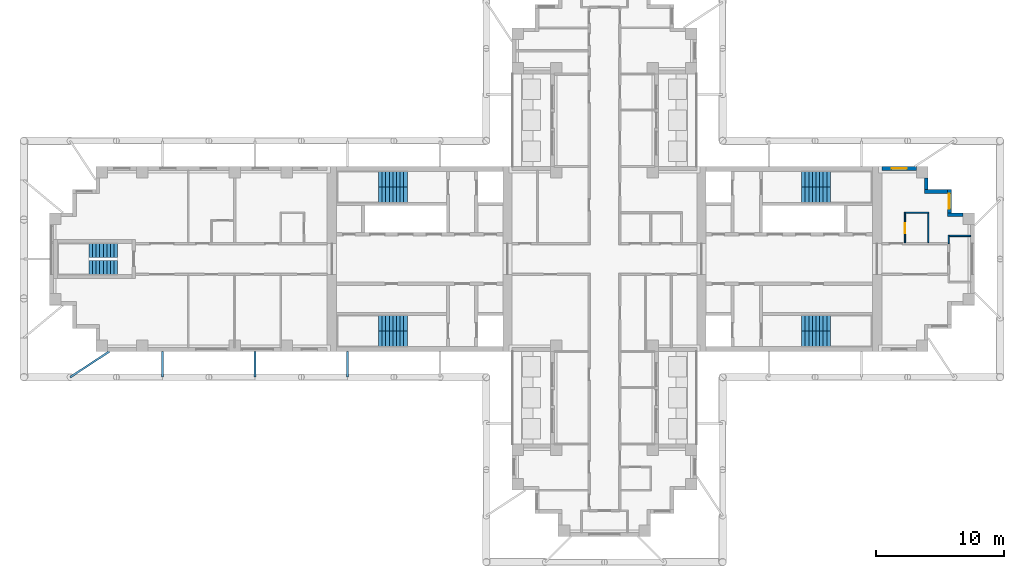
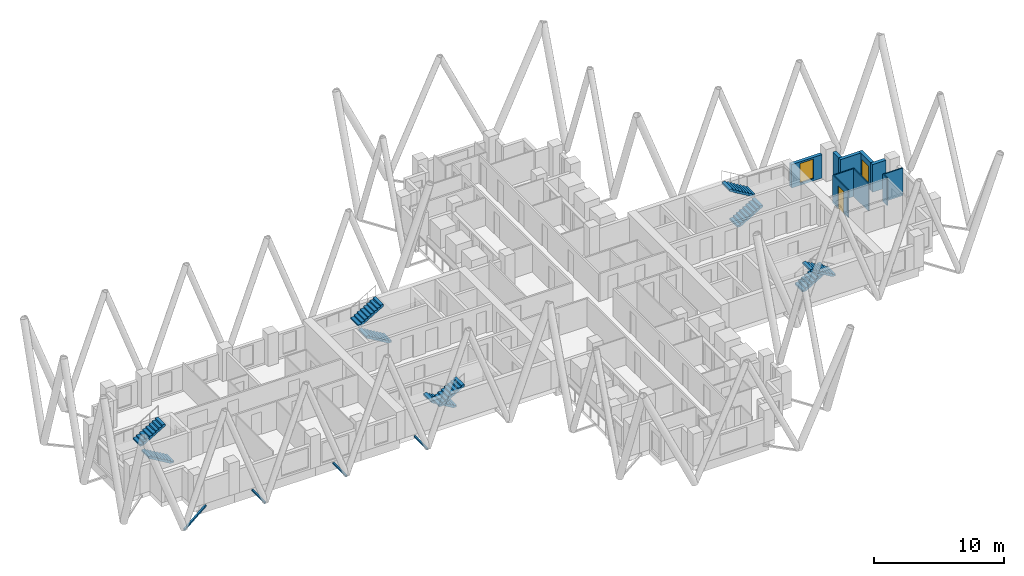
# One storey, part 9 of 12: 10 stair flights, 10 walls, 4 discrete accessories, 2 windows, 1 door, 3 openings, 5 elements without a shape of their own.
"""IFC4 building model written with IfcOpenShell, lengths in metres."""

from ifc_helpers import new_model, si_unit, direction, frame, frame_2d, origin, origin_2d, place, context, subcontext, project, spatial, polyline, rectangle, hollow_rectangle, outline, extrude, material, layer, layer_set, type_object, element, fill, aggregate, save


model = new_model("IFC4")

# Units and contexts
model_context = context("Model", 3, precision=1e-05, world=origin(), true_north=direction((0.0, 1.0)))
body_context = subcontext(model_context, "Body", "Model", "MODEL_VIEW")
ifc_project = project(units=[si_unit("LENGTHUNIT", "METRE"), si_unit("AREAUNIT", "SQUARE_METRE"), si_unit("VOLUMEUNIT", "CUBIC_METRE"), si_unit("PLANEANGLEUNIT", "RADIAN"), si_unit("MASSUNIT", "GRAM", prefix="KILO")], contexts=[model_context])

# Site, building, storey
site_placement = place(None, origin())
site = spatial("IfcSite", under=ifc_project, at=site_placement, CompositionType="ELEMENT")
building_placement = place(site_placement, origin())
building = spatial("IfcBuilding", under=site, at=building_placement, Name="Fustian Cross Tower", CompositionType="ELEMENT")
storey_placement = place(building_placement, frame((0.0, 0.0, 188.699951171875)))
storey = spatial("IfcBuildingStorey", under=building, at=storey_placement, Name="L59", CompositionType="ELEMENT", Elevation=188.699951171875)

# Wall, opening, door
ifc_material_1 = material(Name="Plasterboard on steel stud", Category="steel")
ifc_layer_1 = layer(ifc_material_1, 0.10009765625)
ifc_layer_set_1 = layer_set([ifc_layer_1], Name="Plasterboard on steel stud")
wall_type_1 = type_object("IfcWallType", Name="PARTITION 100 STUD", PredefinedType="PARTITIONING", material=ifc_layer_set_1)
wall_1_placement = place(storey_placement, frame((23.39990234375, 1.27490234375, 0.0), z_axis=(0.0, 0.0, 1.0), x_axis=(0.0, 1.0, 0.0)))
wall_1 = element("IfcWall", 1, at=wall_1_placement, inside=storey, type_object=wall_type_1, Name="Partition 56", PredefinedType="PARTITIONING", context=body_context, shape_type="SweptSolid", body=[
    extrude(rectangle(XDim=2.375, YDim=0.10009765625, at=frame_2d((1.1875, 0.0))), origin(), (0.0, 0.0, 1.0), 2.60009765625),
])
opening_1_placement = place(wall_1_placement, frame((0.72509765625, 0.0, 0.0)))
opening_1 = element("IfcOpeningElement", 2, at=opening_1_placement, cuts=wall_1, Name="Opening D27011", PredefinedType="OPENING", context=body_context, shape_type="SweptSolid", body=[
    extrude(rectangle(XDim=0.800048828125, YDim=2.10009765625, at=frame_2d((0.39990234375, 1.050048828125))), frame((0.0, 0.06005859375, 0.0), z_axis=(0.0, -1.0, 0.0), x_axis=(1.0, 0.0, 0.0)), (0.0, 0.0, 1.0), 0.1201171875),
])
ifc_material_2 = material(Name="Painted timber", Category="wood")
door_type = type_object("IfcDoorType", Name="SWING DOOR 800", OperationType="SINGLE_SWING_LEFT", PredefinedType="DOOR", material=ifc_material_2)
door_placement = place(opening_1_placement, frame((0.800048828125, 0.0, 0.0), z_axis=(0.0, 0.0, 1.0), x_axis=(-1.0, 0.0, 0.0)))
door = element("IfcDoor", 3, at=door_placement, inside=storey, type_object=door_type, Name="Door D27011", OperationType="SINGLE_SWING_RIGHT", OverallHeight=2.10009765625, OverallWidth=0.800048828125, PredefinedType="DOOR", context=body_context, shape_type="SweptSolid", body=[
    extrude(rectangle(XDim=0.800048828125, YDim=2.10009765625, at=frame_2d((0.39990234375, 1.050048828125))), frame((0.0, 0.02490234375, 0.0), z_axis=(0.0, -1.0, 0.0), x_axis=(1.0, 0.0, 0.0)), (0.0, 0.0, 1.0), 0.050048828125),
])
fill(opening_1, door)

# Walls
wall_2_placement = place(storey_placement, frame((23.449951171875, 3.60009765625, 0.0), z_axis=(0.0, 0.0, 1.0), x_axis=(1.0, 0.0, 0.0)))
element("IfcWall", 4, at=wall_2_placement, inside=storey, type_object=wall_type_1, Name="Partition 57", PredefinedType="PARTITIONING", context=body_context, shape_type="SweptSolid", body=[
    extrude(rectangle(XDim=1.800048828125, YDim=0.10009765625, at=frame_2d((0.89990234375, 0.0))), origin(), (0.0, 0.0, 1.0), 2.60009765625),
])
wall_3_placement = place(storey_placement, frame((25.199951171875, 1.27490234375, 0.0), z_axis=(0.0, 0.0, 1.0), x_axis=(0.0, 1.0, 0.0)))
element("IfcWall", 5, at=wall_3_placement, inside=storey, type_object=wall_type_1, Name="Partition 58", PredefinedType="PARTITIONING", context=body_context, shape_type="SweptSolid", body=[
    extrude(rectangle(XDim=2.275146484375, YDim=0.10009765625, at=frame_2d((1.1376953125, 0.0))), origin(), (0.0, 0.0, 1.0), 2.60009765625),
])
wall_4_placement = place(storey_placement, frame((26.800048828125, 1.199951171875, 0.0), z_axis=(0.0, 0.0, 1.0), x_axis=(0.0, 1.0, 0.0)))
element("IfcWall", 6, at=wall_4_placement, inside=storey, type_object=wall_type_1, Name="Partition 62", PredefinedType="PARTITIONING", context=body_context, shape_type="SweptSolid", body=[
    extrude(rectangle(XDim=0.650146484375, YDim=0.10009765625, at=frame_2d((0.3251953125, 0.0))), origin(), (0.0, 0.0, 1.0), 2.60009765625),
])
wall_5_placement = place(storey_placement, frame((26.85009765625, 1.800048828125, 0.0), z_axis=(0.0, 0.0, 1.0), x_axis=(1.0, 0.0, 0.0)))
element("IfcWall", 7, at=wall_5_placement, inside=storey, type_object=wall_type_1, Name="Partition 63", PredefinedType="PARTITIONING", context=body_context, shape_type="SweptSolid", body=[
    extrude(rectangle(XDim=1.64990234375, YDim=0.10009765625, at=frame_2d((0.824951171875, 0.0))), origin(), (0.0, 0.0, 1.0), 2.60009765625),
])
ifc_material_3 = material(Name="Dark aluminium cladding on insulated backing wall", Category="aluminium")
ifc_layer_2 = layer(ifc_material_3, 0.300048828125)
ifc_layer_set_2 = layer_set([ifc_layer_2], Name="Dark aluminium cladding on insulated backing wall")
wall_type_2 = type_object("IfcWallType", Name="XW1 EXTERNAL WALL 300", PredefinedType="SOLIDWALL", material=ifc_layer_set_2)
wall_6_placement = place(storey_placement, frame((27.89990234375, 3.449951171875, 0.0), z_axis=(0.0, 0.0, 1.0), x_axis=(-1.0, 0.0, 0.0)))
element("IfcWall", 8, at=wall_6_placement, inside=storey, type_object=wall_type_2, Name="External wall", PredefinedType="SOLIDWALL", context=body_context, shape_type="SweptSolid", body=[
    extrude(rectangle(XDim=1.199951171875, YDim=0.300048828125, at=frame_2d((0.60009765625, 0.0))), origin(), (0.0, 0.0, 1.0), 2.60009765625),
])

# Wall, opening, window
wall_7_placement = place(storey_placement, frame((26.85009765625, 3.60009765625, 0.0), z_axis=(0.0, 0.0, 1.0), x_axis=(0.0, 1.0, 0.0)))
wall_7 = element("IfcWall", 9, at=wall_7_placement, inside=storey, type_object=wall_type_2, Name="External wall", PredefinedType="SOLIDWALL", context=body_context, shape_type="SweptSolid", body=[
    extrude(rectangle(XDim=1.7998046875, YDim=0.300048828125, at=frame_2d((0.89990234375, 0.0))), origin(), (0.0, 0.0, 1.0), 2.60009765625),
])
opening_2_placement = place(wall_7_placement, frame((0.300048828125, 0.0, 0.199951171875)))
opening_2 = element("IfcOpeningElement", 10, at=opening_2_placement, cuts=wall_7, Name="Opening WN3", PredefinedType="OPENING", context=body_context, shape_type="SweptSolid", body=[
    extrude(rectangle(XDim=1.199951171875, YDim=1.85009765625, at=frame_2d((0.60009765625, 0.925048828125))), frame((0.0, 0.159912109375, 0.0), z_axis=(0.0, -1.0, 0.0), x_axis=(1.0, 0.0, 0.0)), (0.0, 0.0, 1.0), 0.320068359375),
])
ifc_material_4 = material(Name="Dark anodised aluminium and double glazing", Category="aluminium")
window_type = type_object("IfcWindowType", Name="WN3 WINDOW 1200X1850", PartitioningType="SINGLE_PANEL", PredefinedType="WINDOW", material=ifc_material_4)
window_1_placement = place(opening_2_placement, origin())
window_1 = element("IfcWindow", 11, at=window_1_placement, inside=storey, type_object=window_type, Name="Window", OverallHeight=1.85009765625, OverallWidth=1.199951171875, PartitioningType="SINGLE_PANEL", PredefinedType="WINDOW", context=body_context, shape_type="SweptSolid", body=[
    extrude(rectangle(XDim=1.199951171875, YDim=1.85009765625, at=frame_2d((0.60009765625, 0.925048828125))), frame((0.0, 0.030029296875, 0.0), z_axis=(0.0, -1.0, 0.0), x_axis=(1.0, 0.0, 0.0)), (0.0, 0.0, 1.0), 0.06005859375),
])
fill(opening_2, window_1)

# Walls
wall_8_placement = place(storey_placement, frame((26.699951171875, 5.25, 0.0), z_axis=(0.0, 0.0, 1.0), x_axis=(-1.0, 0.0, 0.0)))
element("IfcWall", 12, at=wall_8_placement, inside=storey, type_object=wall_type_2, Name="External wall", PredefinedType="SOLIDWALL", context=body_context, shape_type="SweptSolid", body=[
    extrude(rectangle(XDim=1.800048828125, YDim=0.300048828125, at=frame_2d((0.89990234375, 0.0))), origin(), (0.0, 0.0, 1.0), 2.60009765625),
])
wall_9_placement = place(storey_placement, frame((25.050048828125, 5.39990234375, 0.0), z_axis=(0.0, 0.0, 1.0), x_axis=(0.0, 1.0, 0.0)))
element("IfcWall", 13, at=wall_9_placement, inside=storey, type_object=wall_type_2, Name="External wall", PredefinedType="SOLIDWALL", context=body_context, shape_type="SweptSolid", body=[
    extrude(rectangle(XDim=0.900146484375, YDim=0.300048828125, at=frame_2d((0.4501953125, 0.0))), origin(), (0.0, 0.0, 1.0), 2.60009765625),
])

# Wall, opening, window
wall_10_placement = place(storey_placement, frame((24.300048828125, 7.050048828125, 0.0), z_axis=(0.0, 0.0, 1.0), x_axis=(-1.0, 0.0, 0.0)))
wall_10 = element("IfcWall", 14, at=wall_10_placement, inside=storey, type_object=wall_type_2, Name="External wall", PredefinedType="SOLIDWALL", context=body_context, shape_type="SweptSolid", body=[
    extrude(rectangle(XDim=2.699951171875, YDim=0.300048828125, at=frame_2d((1.35009765625, 0.0))), origin(), (0.0, 0.0, 1.0), 2.199951171875),
])
opening_3_placement = place(wall_10_placement, frame((0.75, 0.0, 0.199951171875)))
opening_3 = element("IfcOpeningElement", 15, at=opening_3_placement, cuts=wall_10, Name="Opening WN3", PredefinedType="OPENING", context=body_context, shape_type="SweptSolid", body=[
    extrude(rectangle(XDim=1.199951171875, YDim=1.85009765625, at=frame_2d((0.60009765625, 0.925048828125))), frame((0.0, 0.159912109375, 0.0), z_axis=(0.0, -1.0, 0.0), x_axis=(1.0, 0.0, 0.0)), (0.0, 0.0, 1.0), 0.320068359375),
])
window_2_placement = place(opening_3_placement, origin())
window_2 = element("IfcWindow", 16, at=window_2_placement, inside=storey, type_object=window_type, Name="Window", OverallHeight=1.85009765625, OverallWidth=1.199951171875, PartitioningType="SINGLE_PANEL", PredefinedType="WINDOW", context=body_context, shape_type="SweptSolid", body=[
    extrude(rectangle(XDim=1.199951171875, YDim=1.85009765625, at=frame_2d((0.60009765625, 0.925048828125))), frame((0.0, 0.030029296875, 0.0), z_axis=(0.0, -1.0, 0.0), x_axis=(1.0, 0.0, 0.0)), (0.0, 0.0, 1.0), 0.06005859375),
])
fill(opening_3, window_2)

# Stair, stair flights
ifc_material_5 = material(Name="Concrete C50/60", Category="concrete")
stair_type_1 = type_object("IfcStairType", Name="STAIR 1100 HALF TURN", PredefinedType="HALF_TURN_STAIR", material=ifc_material_5)
stair_1_placement = place(storey_placement, origin())
stair_1 = element("IfcStair", 17, at=stair_1_placement, inside=storey, type_object=stair_type_1, Name="Stair ST9", PredefinedType="HALF_TURN_STAIR")
ifc_material_6 = material(Name="Concrete C50/60", Category="concrete")
stair_flight_type_1 = type_object("IfcStairFlightType", Name="STAIR FLIGHT 1100", PredefinedType="STRAIGHT", material=ifc_material_6)
stair_flight_1_placement = place(storey_placement, frame((-37.89990234375, -0.64990234375, 0.0), z_axis=(0.0, 0.0, 1.0), x_axis=(-1.0, 0.0, 0.0)))
stair_flight_1 = element("IfcStairFlight", 18, at=stair_flight_1_placement, type_object=stair_flight_type_1, Name="ST9 flight 1", NumberOfRisers=9, NumberOfTreads=8, PredefinedType="STRAIGHT", RiserHeight=0.166666667, TreadLength=0.28, context=body_context, shape_type="SweptSolid", body=[
    extrude(outline(polyline([(0.0, 0.0), (0.0, 0.166748046875), (0.280029296875, 0.166748046875), (0.280029296875, 0.333251953125), (0.56005859375, 0.333251953125), (0.56005859375, 0.5), (0.840087890625, 0.5), (0.840087890625, 0.666748046875), (1.1201171875, 0.666748046875), (1.1201171875, 0.833251953125), (1.39990234375, 0.833251953125), (1.39990234375, 1.0), (1.679931640625, 1.0), (1.679931640625, 1.166748046875), (1.9599609375, 1.166748046875), (1.9599609375, 1.333251953125), (2.239990234375, 1.333251953125), (2.239990234375, 1.5), (2.239990234375, 1.158935546875), (0.29296875, 0.0), (0.0, 0.0)])), frame((0.0, 0.550048828125, 0.0), z_axis=(0.0, -1.0, 0.0), x_axis=(1.0, 0.0, 0.0)), (0.0, 0.0, 1.0), 1.10009765625),
])
stair_flight_2_placement = place(storey_placement, frame((-40.139892578125, 0.64990234375, 1.5), z_axis=(0.0, 0.0, 1.0), x_axis=(1.0, 0.0, 0.0)))
stair_flight_2 = element("IfcStairFlight", 19, at=stair_flight_2_placement, type_object=stair_flight_type_1, Name="ST9 flight 2", NumberOfRisers=9, NumberOfTreads=8, PredefinedType="STRAIGHT", RiserHeight=0.166666667, TreadLength=0.28, context=body_context, shape_type="SweptSolid", body=[
    extrude(outline(polyline([(0.0, 0.0), (0.0, 0.166748046875), (0.280029296875, 0.166748046875), (0.280029296875, 0.333251953125), (0.56005859375, 0.333251953125), (0.56005859375, 0.5), (0.840087890625, 0.5), (0.840087890625, 0.666748046875), (1.1201171875, 0.666748046875), (1.1201171875, 0.833251953125), (1.39990234375, 0.833251953125), (1.39990234375, 1.0), (1.679931640625, 1.0), (1.679931640625, 1.166748046875), (1.9599609375, 1.166748046875), (1.9599609375, 1.333251953125), (2.239990234375, 1.333251953125), (2.239990234375, 1.5), (2.239990234375, 1.158935546875), (0.29296875, 0.0), (0.0, 0.0)])), frame((0.0, 0.550048828125, 0.0), z_axis=(0.0, -1.0, 0.0), x_axis=(1.0, 0.0, 0.0)), (0.0, 0.0, 1.0), 1.10009765625),
])
aggregate(stair_1, [stair_flight_1, stair_flight_2])

ifc_material_7 = material(Name="Concrete C50/60", Category="concrete")
stair_type_2 = type_object("IfcStairType", Name="STAIR 1200 HALF TURN", PredefinedType="HALF_TURN_STAIR", material=ifc_material_7)
stair_2_placement = place(storey_placement, origin())
stair_2 = element("IfcStair", 20, at=stair_2_placement, inside=storey, type_object=stair_type_2, Name="Stair ST1", PredefinedType="HALF_TURN_STAIR")
ifc_material_8 = material(Name="Concrete C50/60", Category="concrete")
stair_flight_type_2 = type_object("IfcStairFlightType", Name="STAIR FLIGHT 1200", PredefinedType="STRAIGHT", material=ifc_material_8)
stair_flight_3_placement = place(storey_placement, frame((15.35009765625, 5.0, 0.0), z_axis=(0.0, 0.0, 1.0), x_axis=(1.0, 0.0, 0.0)))
stair_flight_3 = element("IfcStairFlight", 21, at=stair_flight_3_placement, type_object=stair_flight_type_2, Name="ST1 flight 1", NumberOfRisers=9, NumberOfTreads=8, PredefinedType="STRAIGHT", RiserHeight=0.166666667, TreadLength=0.28, context=body_context, shape_type="SweptSolid", body=[
    extrude(outline(polyline([(0.0, 0.0), (0.0, 0.166748046875), (0.280029296875, 0.166748046875), (0.280029296875, 0.333251953125), (0.56005859375, 0.333251953125), (0.56005859375, 0.5), (0.840087890625, 0.5), (0.840087890625, 0.666748046875), (1.1201171875, 0.666748046875), (1.1201171875, 0.833251953125), (1.39990234375, 0.833251953125), (1.39990234375, 1.0), (1.679931640625, 1.0), (1.679931640625, 1.166748046875), (1.9599609375, 1.166748046875), (1.9599609375, 1.333251953125), (2.239990234375, 1.333251953125), (2.239990234375, 1.5), (2.239990234375, 1.158935546875), (0.29296875, 0.0), (0.0, 0.0)])), frame((0.0, 0.60009765625, 0.0), z_axis=(0.0, -1.0, 0.0), x_axis=(1.0, 0.0, 0.0)), (0.0, 0.0, 1.0), 1.199951171875),
])
stair_flight_4_placement = place(storey_placement, frame((17.590087890625, 6.199951171875, 1.5), z_axis=(0.0, 0.0, 1.0), x_axis=(-1.0, 0.0, 0.0)))
stair_flight_4 = element("IfcStairFlight", 22, at=stair_flight_4_placement, type_object=stair_flight_type_2, Name="ST1 flight 2", NumberOfRisers=9, NumberOfTreads=8, PredefinedType="STRAIGHT", RiserHeight=0.166666667, TreadLength=0.28, context=body_context, shape_type="SweptSolid", body=[
    extrude(outline(polyline([(0.0, 0.0), (0.0, 0.166748046875), (0.280029296875, 0.166748046875), (0.280029296875, 0.333251953125), (0.56005859375, 0.333251953125), (0.56005859375, 0.5), (0.840087890625, 0.5), (0.840087890625, 0.666748046875), (1.1201171875, 0.666748046875), (1.1201171875, 0.833251953125), (1.39990234375, 0.833251953125), (1.39990234375, 1.0), (1.679931640625, 1.0), (1.679931640625, 1.166748046875), (1.9599609375, 1.166748046875), (1.9599609375, 1.333251953125), (2.239990234375, 1.333251953125), (2.239990234375, 1.5), (2.239990234375, 1.158935546875), (0.29296875, 0.0), (0.0, 0.0)])), frame((0.0, 0.60009765625, 0.0), z_axis=(0.0, -1.0, 0.0), x_axis=(1.0, 0.0, 0.0)), (0.0, 0.0, 1.0), 1.199951171875),
])
aggregate(stair_2, [stair_flight_3, stair_flight_4])

stair_3_placement = place(storey_placement, origin())
stair_3 = element("IfcStair", 23, at=stair_3_placement, inside=storey, type_object=stair_type_2, Name="Stair ST2", PredefinedType="HALF_TURN_STAIR")
stair_flight_5_placement = place(storey_placement, frame((15.35009765625, -5.0, 0.0), z_axis=(0.0, 0.0, 1.0), x_axis=(1.0, 0.0, 0.0)))
stair_flight_5 = element("IfcStairFlight", 24, at=stair_flight_5_placement, type_object=stair_flight_type_2, Name="ST2 flight 1", NumberOfRisers=9, NumberOfTreads=8, PredefinedType="STRAIGHT", RiserHeight=0.166666667, TreadLength=0.28, context=body_context, shape_type="SweptSolid", body=[
    extrude(outline(polyline([(0.0, 0.0), (0.0, 0.166748046875), (0.280029296875, 0.166748046875), (0.280029296875, 0.333251953125), (0.56005859375, 0.333251953125), (0.56005859375, 0.5), (0.840087890625, 0.5), (0.840087890625, 0.666748046875), (1.1201171875, 0.666748046875), (1.1201171875, 0.833251953125), (1.39990234375, 0.833251953125), (1.39990234375, 1.0), (1.679931640625, 1.0), (1.679931640625, 1.166748046875), (1.9599609375, 1.166748046875), (1.9599609375, 1.333251953125), (2.239990234375, 1.333251953125), (2.239990234375, 1.5), (2.239990234375, 1.158935546875), (0.29296875, 0.0), (0.0, 0.0)])), frame((0.0, 0.60009765625, 0.0), z_axis=(0.0, -1.0, 0.0), x_axis=(1.0, 0.0, 0.0)), (0.0, 0.0, 1.0), 1.199951171875),
])
stair_flight_6_placement = place(storey_placement, frame((17.590087890625, -6.199951171875, 1.5), z_axis=(0.0, 0.0, 1.0), x_axis=(-1.0, 0.0, 0.0)))
stair_flight_6 = element("IfcStairFlight", 25, at=stair_flight_6_placement, type_object=stair_flight_type_2, Name="ST2 flight 2", NumberOfRisers=9, NumberOfTreads=8, PredefinedType="STRAIGHT", RiserHeight=0.166666667, TreadLength=0.28, context=body_context, shape_type="SweptSolid", body=[
    extrude(outline(polyline([(0.0, 0.0), (0.0, 0.166748046875), (0.280029296875, 0.166748046875), (0.280029296875, 0.333251953125), (0.56005859375, 0.333251953125), (0.56005859375, 0.5), (0.840087890625, 0.5), (0.840087890625, 0.666748046875), (1.1201171875, 0.666748046875), (1.1201171875, 0.833251953125), (1.39990234375, 0.833251953125), (1.39990234375, 1.0), (1.679931640625, 1.0), (1.679931640625, 1.166748046875), (1.9599609375, 1.166748046875), (1.9599609375, 1.333251953125), (2.239990234375, 1.333251953125), (2.239990234375, 1.5), (2.239990234375, 1.158935546875), (0.29296875, 0.0), (0.0, 0.0)])), frame((0.0, 0.60009765625, 0.0), z_axis=(0.0, -1.0, 0.0), x_axis=(1.0, 0.0, 0.0)), (0.0, 0.0, 1.0), 1.199951171875),
])
aggregate(stair_3, [stair_flight_5, stair_flight_6])

stair_4_placement = place(storey_placement, origin())
stair_4 = element("IfcStair", 26, at=stair_4_placement, inside=storey, type_object=stair_type_2, Name="Stair ST3", PredefinedType="HALF_TURN_STAIR")
stair_flight_7_placement = place(storey_placement, frame((-15.35009765625, 5.0, 0.0), z_axis=(0.0, 0.0, 1.0), x_axis=(-1.0, 0.0, 0.0)))
stair_flight_7 = element("IfcStairFlight", 27, at=stair_flight_7_placement, type_object=stair_flight_type_2, Name="ST3 flight 1", NumberOfRisers=9, NumberOfTreads=8, PredefinedType="STRAIGHT", RiserHeight=0.166666667, TreadLength=0.28, context=body_context, shape_type="SweptSolid", body=[
    extrude(outline(polyline([(0.0, 0.0), (0.0, 0.166748046875), (0.280029296875, 0.166748046875), (0.280029296875, 0.333251953125), (0.56005859375, 0.333251953125), (0.56005859375, 0.5), (0.840087890625, 0.5), (0.840087890625, 0.666748046875), (1.1201171875, 0.666748046875), (1.1201171875, 0.833251953125), (1.39990234375, 0.833251953125), (1.39990234375, 1.0), (1.679931640625, 1.0), (1.679931640625, 1.166748046875), (1.9599609375, 1.166748046875), (1.9599609375, 1.333251953125), (2.239990234375, 1.333251953125), (2.239990234375, 1.5), (2.239990234375, 1.158935546875), (0.29296875, 0.0), (0.0, 0.0)])), frame((0.0, 0.60009765625, 0.0), z_axis=(0.0, -1.0, 0.0), x_axis=(1.0, 0.0, 0.0)), (0.0, 0.0, 1.0), 1.199951171875),
])
stair_flight_8_placement = place(storey_placement, frame((-17.590087890625, 6.199951171875, 1.5), z_axis=(0.0, 0.0, 1.0), x_axis=(1.0, 0.0, 0.0)))
stair_flight_8 = element("IfcStairFlight", 28, at=stair_flight_8_placement, type_object=stair_flight_type_2, Name="ST3 flight 2", NumberOfRisers=9, NumberOfTreads=8, PredefinedType="STRAIGHT", RiserHeight=0.166666667, TreadLength=0.28, context=body_context, shape_type="SweptSolid", body=[
    extrude(outline(polyline([(0.0, 0.0), (0.0, 0.166748046875), (0.280029296875, 0.166748046875), (0.280029296875, 0.333251953125), (0.56005859375, 0.333251953125), (0.56005859375, 0.5), (0.840087890625, 0.5), (0.840087890625, 0.666748046875), (1.1201171875, 0.666748046875), (1.1201171875, 0.833251953125), (1.39990234375, 0.833251953125), (1.39990234375, 1.0), (1.679931640625, 1.0), (1.679931640625, 1.166748046875), (1.9599609375, 1.166748046875), (1.9599609375, 1.333251953125), (2.239990234375, 1.333251953125), (2.239990234375, 1.5), (2.239990234375, 1.158935546875), (0.29296875, 0.0), (0.0, 0.0)])), frame((0.0, 0.60009765625, 0.0), z_axis=(0.0, -1.0, 0.0), x_axis=(1.0, 0.0, 0.0)), (0.0, 0.0, 1.0), 1.199951171875),
])
aggregate(stair_4, [stair_flight_7, stair_flight_8])

stair_5_placement = place(storey_placement, origin())
stair_5 = element("IfcStair", 29, at=stair_5_placement, inside=storey, type_object=stair_type_2, Name="Stair ST4", PredefinedType="HALF_TURN_STAIR")
stair_flight_9_placement = place(storey_placement, frame((-15.35009765625, -5.0, 0.0), z_axis=(0.0, 0.0, 1.0), x_axis=(-1.0, 0.0, 0.0)))
stair_flight_9 = element("IfcStairFlight", 30, at=stair_flight_9_placement, type_object=stair_flight_type_2, Name="ST4 flight 1", NumberOfRisers=9, NumberOfTreads=8, PredefinedType="STRAIGHT", RiserHeight=0.166666667, TreadLength=0.28, context=body_context, shape_type="SweptSolid", body=[
    extrude(outline(polyline([(0.0, 0.0), (0.0, 0.166748046875), (0.280029296875, 0.166748046875), (0.280029296875, 0.333251953125), (0.56005859375, 0.333251953125), (0.56005859375, 0.5), (0.840087890625, 0.5), (0.840087890625, 0.666748046875), (1.1201171875, 0.666748046875), (1.1201171875, 0.833251953125), (1.39990234375, 0.833251953125), (1.39990234375, 1.0), (1.679931640625, 1.0), (1.679931640625, 1.166748046875), (1.9599609375, 1.166748046875), (1.9599609375, 1.333251953125), (2.239990234375, 1.333251953125), (2.239990234375, 1.5), (2.239990234375, 1.158935546875), (0.29296875, 0.0), (0.0, 0.0)])), frame((0.0, 0.60009765625, 0.0), z_axis=(0.0, -1.0, 0.0), x_axis=(1.0, 0.0, 0.0)), (0.0, 0.0, 1.0), 1.199951171875),
])
stair_flight_10_placement = place(storey_placement, frame((-17.590087890625, -6.199951171875, 1.5), z_axis=(0.0, 0.0, 1.0), x_axis=(1.0, 0.0, 0.0)))
stair_flight_10 = element("IfcStairFlight", 31, at=stair_flight_10_placement, type_object=stair_flight_type_2, Name="ST4 flight 2", NumberOfRisers=9, NumberOfTreads=8, PredefinedType="STRAIGHT", RiserHeight=0.166666667, TreadLength=0.28, context=body_context, shape_type="SweptSolid", body=[
    extrude(outline(polyline([(0.0, 0.0), (0.0, 0.166748046875), (0.280029296875, 0.166748046875), (0.280029296875, 0.333251953125), (0.56005859375, 0.333251953125), (0.56005859375, 0.5), (0.840087890625, 0.5), (0.840087890625, 0.666748046875), (1.1201171875, 0.666748046875), (1.1201171875, 0.833251953125), (1.39990234375, 0.833251953125), (1.39990234375, 1.0), (1.679931640625, 1.0), (1.679931640625, 1.166748046875), (1.9599609375, 1.166748046875), (1.9599609375, 1.333251953125), (2.239990234375, 1.333251953125), (2.239990234375, 1.5), (2.239990234375, 1.158935546875), (0.29296875, 0.0), (0.0, 0.0)])), frame((0.0, 0.60009765625, 0.0), z_axis=(0.0, -1.0, 0.0), x_axis=(1.0, 0.0, 0.0)), (0.0, 0.0, 1.0), 1.199951171875),
])
aggregate(stair_5, [stair_flight_9, stair_flight_10])

# Discrete accessories
ifc_material_9 = material(Name="Steel S355", Category="steel")
discrete_accessory_placement = place(storey_placement, frame((-41.60009765625, -9.199951171875, -0.14990234375), z_axis=(0.836248392914, 0.548350823241, 0.0), x_axis=(-0.548350823241, 0.836248392914, 0.0)))
element("IfcDiscreteAccessory", 32, at=discrete_accessory_placement, inside=storey, material=ifc_material_9, Name="Diagrid node bracket L59-19", PredefinedType="BRACKET", context=body_context, shape_type="SweptSolid", body=[
    extrude(hollow_rectangle(XDim=0.14990234375, YDim=0.14990234375, WallThickness=0.010009765625, at=origin_2d()), origin(), (0.0, 0.0, 1.0), 3.647216796875),
])
for number, where, z_axis, x_axis, name in (
    (33, (-34.39990234375, -9.199951171875, -0.14990234375), (0.0, 1.0, 0.0), (-1.0, 0.0, 0.0), "Diagrid node bracket L59-20"),
    (34, (-27.199951171875, -9.199951171875, -0.14990234375), (0.0, 1.0, 0.0), (-1.0, 0.0, 0.0), "Diagrid node bracket L59-21"),
    (35, (-20.0, -9.199951171875, -0.14990234375), (0.0, 1.0, 0.0), (-1.0, 0.0, 0.0), "Diagrid node bracket L59-22"),
):
    element("IfcDiscreteAccessory", number, at=place(storey_placement, frame(where, z_axis=z_axis, x_axis=x_axis)), inside=storey, material=ifc_material_9, Name=name, PredefinedType="BRACKET", context=body_context, shape_type="SweptSolid", body=[
        extrude(hollow_rectangle(XDim=0.14990234375, YDim=0.14990234375, WallThickness=0.010009765625, at=origin_2d()), origin(), (0.0, 0.0, 1.0), 2.0),
    ])

save(model, "model.ifc")
